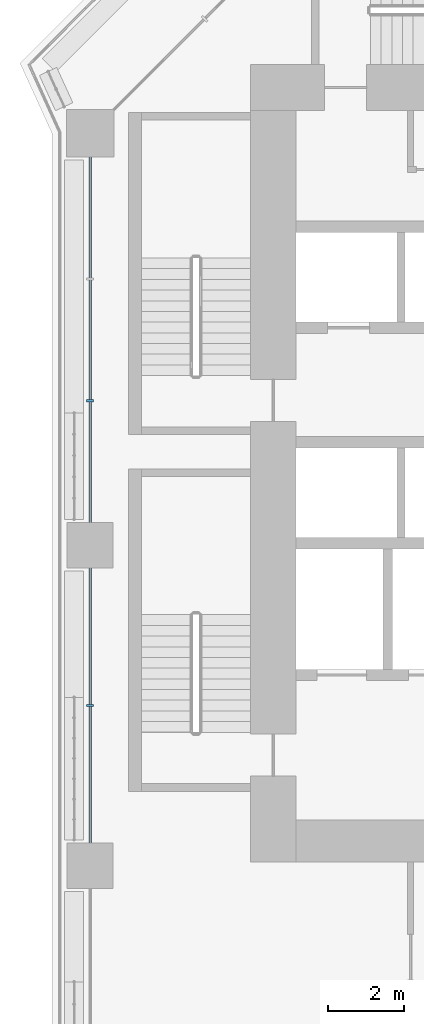
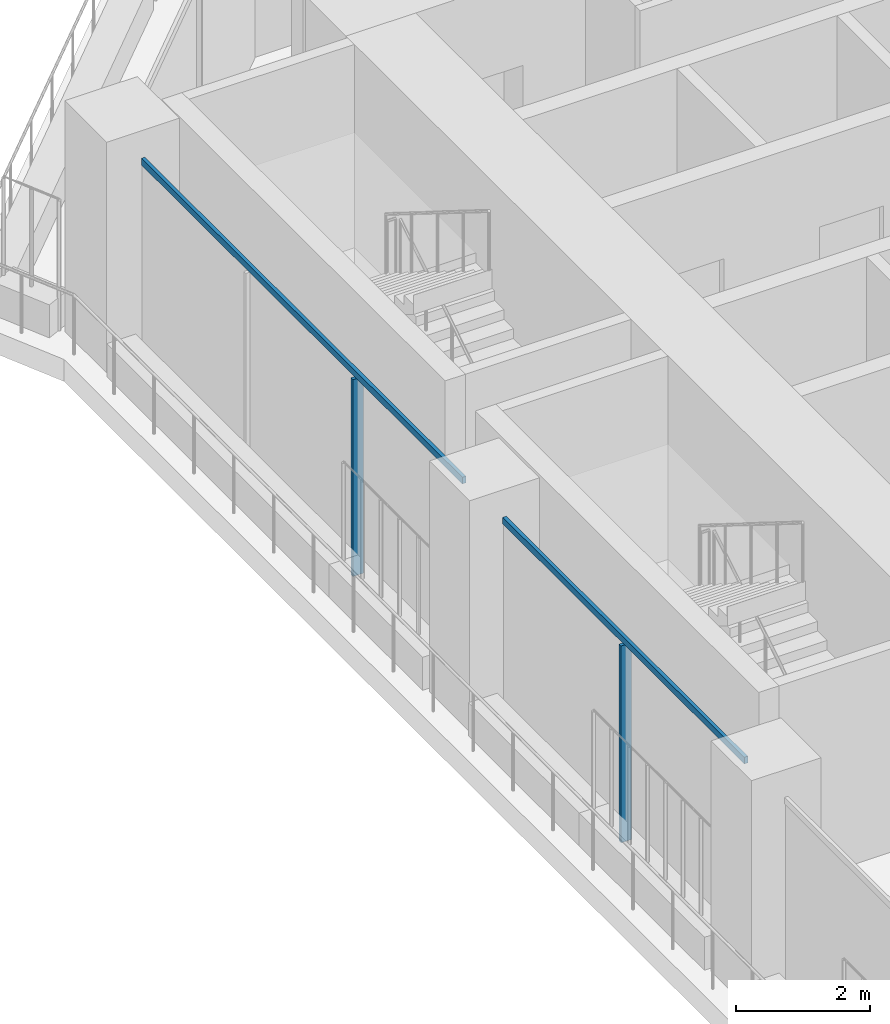
# One storey, part 4 of 28: 4 members, 1 element without a shape of its own.
"""IFC4 building model written with IfcOpenShell, lengths in metres."""

from ifc_helpers import new_model, si_unit, direction, frame, origin, origin_2d, place, context, subcontext, project, spatial, rectangle, extrude, material, layer, layer_set, material_profile, profile_set, type_object, element, aggregate, save


model = new_model("IFC4")

# Units and contexts
model_context = context("Model", 3, precision=1e-05, world=origin(), true_north=direction((0.0, 1.0)))
body_context = subcontext(model_context, "Body", "Model", "MODEL_VIEW")
ifc_project = project(units=[si_unit("LENGTHUNIT", "METRE"), si_unit("AREAUNIT", "SQUARE_METRE"), si_unit("VOLUMEUNIT", "CUBIC_METRE"), si_unit("PLANEANGLEUNIT", "RADIAN"), si_unit("MASSUNIT", "GRAM", prefix="KILO")], contexts=[model_context])

# Site, building, storey
site_placement = place(None, origin())
site = spatial("IfcSite", under=ifc_project, at=site_placement, CompositionType="ELEMENT")
building_placement = place(site_placement, origin())
building = spatial("IfcBuilding", under=site, at=building_placement, Name="Kawkab Arch Medical Tower", CompositionType="ELEMENT")
storey_placement = place(building_placement, frame((0.0, 0.0, 89.60009765625)))
storey = spatial("IfcBuildingStorey", under=building, at=storey_placement, Name="L20", CompositionType="ELEMENT", Elevation=89.60009765625)

# Curtain wall, members
ifc_material_1 = material(Name="Bronze anodised aluminium curtain wall frame", Category="aluminium")
ifc_layer = layer(ifc_material_1, 0.159912109375)
ifc_layer_set = layer_set([ifc_layer], Name="Bronze anodised aluminium curtain wall frame")
curtain_wall_type = type_object("IfcCurtainWallType", Name="CW1 ward curtain wall", PredefinedType="NOTDEFINED", material=ifc_layer_set)
curtain_wall_placement = place(storey_placement, origin())
curtain_wall = element("IfcCurtainWall", 1, at=curtain_wall_placement, inside=storey, type_object=curtain_wall_type, Name="CW1 Ward curtain wall R01", PredefinedType="NOTDEFINED")
ifc_material_2 = material(Name="Bronze anodised aluminium curtain wall frame", Category="aluminium")
ifc_material_profile_1 = material_profile(ifc_material_2, rectangle(XDim=0.179931640625, YDim=0.06005859375, at=origin_2d()), Name="AL 60x180")
ifc_profile_set_1 = profile_set([ifc_material_profile_1], Name="Bronze anodised aluminium curtain wall frame")
member_type_1 = type_object("IfcMemberType", Name="CW1 mullion 60 x 180", PredefinedType="MULLION", material=ifc_profile_set_1)
member_1_placement = place(storey_placement, frame((0.0, -13.00830078125, 0.0), z_axis=(0.0, 0.0, 1.0), x_axis=(1.0, 0.0, 0.0)))
member_1 = element("IfcMember", 2, at=member_1_placement, type_object=member_type_1, Name="CW1 mullion 1.2", PredefinedType="MULLION", context=body_context, shape_type="SweptSolid", body=[
    extrude(rectangle(XDim=0.179931640625, YDim=0.06005859375, at=origin_2d()), origin(), (0.0, 0.0, 1.0), 3.579833984375),
])
member_2_placement = place(storey_placement, frame((0.0, -21.0, 0.0), z_axis=(0.0, 0.0, 1.0), x_axis=(1.0, 0.0, 0.0)))
member_2 = element("IfcMember", 3, at=member_2_placement, type_object=member_type_1, Name="CW1 mullion 2.1", PredefinedType="MULLION", context=body_context, shape_type="SweptSolid", body=[
    extrude(rectangle(XDim=0.179931640625, YDim=0.06005859375, at=origin_2d()), origin(), (0.0, 0.0, 1.0), 3.579833984375),
])
ifc_material_3 = material(Name="Bronze anodised aluminium curtain wall frame", Category="aluminium")
ifc_material_profile_2 = material_profile(ifc_material_3, rectangle(XDim=0.06005859375, YDim=0.1201171875, at=origin_2d()), Name="AL 60x120")
ifc_profile_set_2 = profile_set([ifc_material_profile_2], Name="Bronze anodised aluminium curtain wall frame")
member_type_2 = type_object("IfcMemberType", Name="CW1 transom 120 x 60", PredefinedType="USERDEFINED", material=ifc_profile_set_2)
member_3_placement = place(storey_placement, frame((0.0, -6.625, 3.639892578125), z_axis=(0.0, -1.0, 0.0), x_axis=(1.0, 0.0, 0.0)))
member_3 = element("IfcMember", 4, at=member_3_placement, type_object=member_type_2, Name="CW1 transom 1", ObjectType="TRANSOM", PredefinedType="USERDEFINED", context=body_context, shape_type="SweptSolid", body=[
    extrude(rectangle(XDim=0.06005859375, YDim=0.1201171875, at=origin_2d()), origin(), (0.0, 0.0, 1.0), 9.574951171875),
])
member_4_placement = place(storey_placement, frame((0.0, -17.39990234375, 3.639892578125), z_axis=(0.0, -1.0, 0.0), x_axis=(1.0, 0.0, 0.0)))
member_4 = element("IfcMember", 5, at=member_4_placement, type_object=member_type_2, Name="CW1 transom 2", ObjectType="TRANSOM", PredefinedType="USERDEFINED", context=body_context, shape_type="SweptSolid", body=[
    extrude(rectangle(XDim=0.06005859375, YDim=0.1201171875, at=origin_2d()), origin(), (0.0, 0.0, 1.0), 7.2001953125),
])
aggregate(curtain_wall, [member_3, member_1, member_4, member_2])

save(model, "model.ifc")
